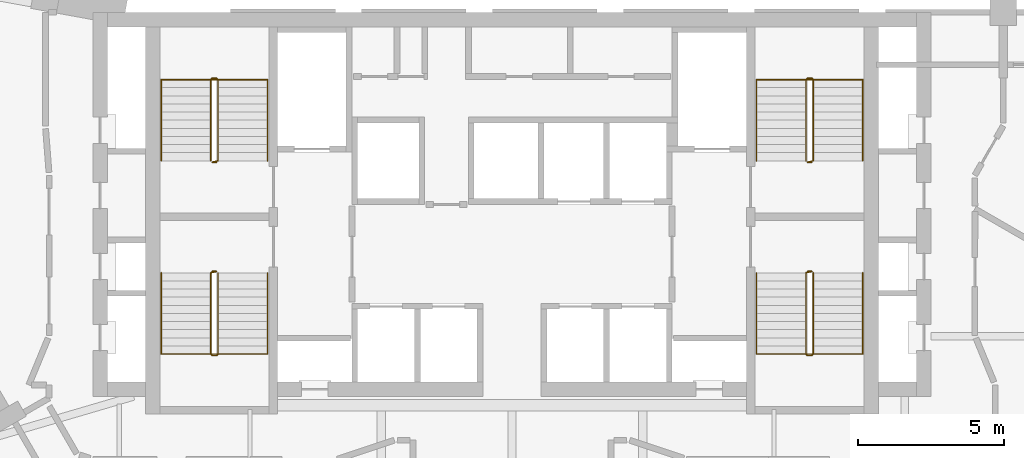
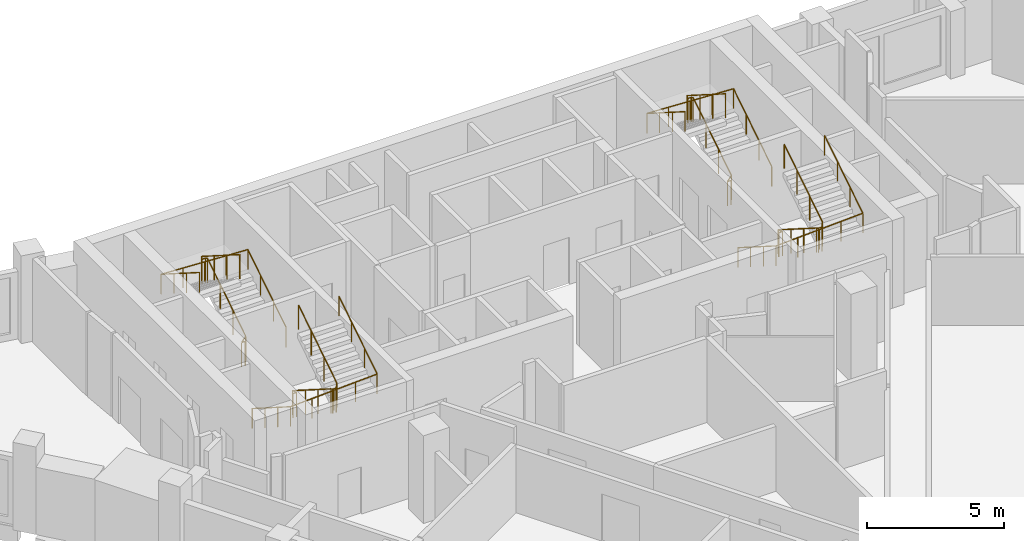
# One storey, part 9 of 9: 8 railings.
"""IFC4 building model written with IfcOpenShell, lengths in metres."""

from ifc_helpers import new_model, si_unit, direction, frame, origin, origin_2d, place, context, subcontext, project, spatial, circle, extrude, material, type_object, element, save


model = new_model("IFC4")

# Units and contexts
model_context = context("Model", 3, precision=1e-05, world=origin(), true_north=direction((0.0, 1.0)))
body_context = subcontext(model_context, "Body", "Model", "MODEL_VIEW")
ifc_project = project(units=[si_unit("LENGTHUNIT", "METRE"), si_unit("AREAUNIT", "SQUARE_METRE"), si_unit("VOLUMEUNIT", "CUBIC_METRE"), si_unit("PLANEANGLEUNIT", "RADIAN"), si_unit("MASSUNIT", "GRAM", prefix="KILO")], contexts=[model_context])

# Site, building, storey
site_placement = place(None, origin())
site = spatial("IfcSite", under=ifc_project, at=site_placement, CompositionType="ELEMENT")
building_placement = place(site_placement, origin())
building = spatial("IfcBuilding", under=site, at=building_placement, Name="Calabash Gate Tower", CompositionType="ELEMENT")
storey_placement = place(building_placement, frame((0.0, 0.0, 200.300048828125)))
storey = spatial("IfcBuildingStorey", under=building, at=storey_placement, Name="L47", CompositionType="ELEMENT", Elevation=200.300048828125)

# Railings
ifc_material_1 = material(Name="Black powder-coated steel balusters", Category="steel")
railing_type_1 = type_object("IfcRailingType", Name="Stair guard RL1100", PredefinedType="GUARDRAIL", material=ifc_material_1)
railing_1_placement = place(storey_placement, frame((-10.14990234375, 13.902587890625, 0.0)))
element("IfcRailing", 1, at=railing_1_placement, inside=storey, type_object=railing_type_1, Name="L47 ST1 stair guard 1", PredefinedType="GUARDRAIL", context=body_context, shape_type="SweptSolid", body=[
    extrude(circle(Radius=0.02392578125, at=origin_2d()), frame((0.0, 0.0, 1.076171875), z_axis=(-1.0, 0.0, 0.0), x_axis=(0.0, -1.0, 0.0)), (0.0, 0.0, 1.0), 0.150146484375),
    extrude(circle(Radius=0.02392578125, at=origin_2d()), frame((-0.150146484375, 0.0, 1.076171875), z_axis=(0.735524641326, 0.184105679453, 0.652003528208), x_axis=(-0.242814311512, 0.970072785993, 0.0)), (0.0, 0.0, 1.0), 0.271728515625),
    extrude(circle(Radius=0.02392578125, at=origin_2d()), frame((0.0498046875, 0.050048828125, 1.25341796875), z_axis=(0.0, 0.844041424197, 0.536277982245), x_axis=(-1.0, 0.0, 0.0)), (0.0, 0.0, 1.0), 3.3056640625),
    extrude(circle(Radius=0.02392578125, at=origin_2d()), frame((0.0498046875, 2.840087890625, 3.02587890625), z_axis=(-0.707106781187, 0.707106781187, 0.0), x_axis=(-0.707106781187, -0.707106781187, 0.0)), (0.0, 0.0, 1.0), 0.0703125),
    extrude(circle(Radius=0.02392578125, at=origin_2d()), frame((0.0, 2.889892578125, 3.02587890625), z_axis=(-1.0, 0.0, 0.0), x_axis=(0.0, -1.0, 0.0)), (0.0, 0.0, 1.0), 0.150146484375),
    extrude(circle(Radius=0.02392578125, at=origin_2d()), frame((-0.150146484375, 2.889892578125, 3.02587890625), z_axis=(-0.262321481514, -0.261041864531, 0.929001929653), x_axis=(0.705375805398, -0.708833529934, 0.0)), (0.0, 0.0, 1.0), 0.190673828125),
    extrude(circle(Radius=0.02392578125, at=origin_2d()), frame((-0.2001953125, 2.840087890625, 3.203125), z_axis=(0.0, -0.844041424197, 0.536277982245), x_axis=(1.0, 0.0, 0.0)), (0.0, 0.0, 1.0), 3.3056640625),
    extrude(circle(Radius=0.02099609375, at=origin_2d()), origin(), (0.0, 0.0, 1.0), 1.052001953125),
    extrude(circle(Radius=0.02099609375, at=origin_2d()), frame((-0.150146484375, 0.0, 0.0)), (0.0, 0.0, 1.0), 1.052001953125),
    extrude(circle(Radius=0.02099609375, at=origin_2d()), frame((0.0498046875, 0.050048828125, 0.17724609375)), (0.0, 0.0, 1.0), 1.052001953125),
    extrude(circle(Radius=0.02099609375, at=origin_2d()), frame((0.0498046875, 0.97998046875, 0.76806640625)), (0.0, 0.0, 1.0), 1.052001953125),
    extrude(circle(Radius=0.02099609375, at=origin_2d()), frame((0.0498046875, 1.91015625, 1.359130859375)), (0.0, 0.0, 1.0), 1.052001953125),
    extrude(circle(Radius=0.02099609375, at=origin_2d()), frame((0.0498046875, 2.840087890625, 1.949951171875)), (0.0, 0.0, 1.0), 1.052001953125),
    extrude(circle(Radius=0.02099609375, at=origin_2d()), frame((0.0, 2.889892578125, 1.949951171875)), (0.0, 0.0, 1.0), 1.052001953125),
    extrude(circle(Radius=0.02099609375, at=origin_2d()), frame((-0.150146484375, 2.889892578125, 1.949951171875)), (0.0, 0.0, 1.0), 1.052001953125),
    extrude(circle(Radius=0.02099609375, at=origin_2d()), frame((-0.2001953125, 2.840087890625, 2.127197265625)), (0.0, 0.0, 1.0), 1.052001953125),
    extrude(circle(Radius=0.02099609375, at=origin_2d()), frame((-0.2001953125, 1.91015625, 2.718017578125)), (0.0, 0.0, 1.0), 1.052001953125),
    extrude(circle(Radius=0.02099609375, at=origin_2d()), frame((-0.2001953125, 0.97998046875, 3.30908203125)), (0.0, 0.0, 1.0), 1.052001953125),
    extrude(circle(Radius=0.02099609375, at=origin_2d()), frame((-0.2001953125, 0.050048828125, 3.89990234375)), (0.0, 0.0, 1.0), 1.052001953125),
])
railing_2_placement = place(storey_placement, frame((-10.300048828125, 10.152587890625, 0.0)))
element("IfcRailing", 2, at=railing_2_placement, inside=storey, type_object=railing_type_1, Name="L47 ST2 stair guard 1", PredefinedType="GUARDRAIL", context=body_context, shape_type="SweptSolid", body=[
    extrude(circle(Radius=0.02392578125, at=origin_2d()), frame((0.0, 0.0, 1.076171875), z_axis=(1.0, 0.0, 0.0), x_axis=(0.0, 1.0, 0.0)), (0.0, 0.0, 1.0), 0.150146484375),
    extrude(circle(Radius=0.02392578125, at=origin_2d()), frame((0.150146484375, 0.0, 1.076171875), z_axis=(-0.735936453418, -0.183984113355, 0.651573006319), x_axis=(0.242535625036, -0.970142500145, 0.0)), (0.0, 0.0, 1.0), 0.27197265625),
    extrude(circle(Radius=0.02392578125, at=origin_2d()), frame((-0.050048828125, -0.050048828125, 1.25341796875), z_axis=(0.0, -0.844041424197, 0.536277982245), x_axis=(1.0, 0.0, 0.0)), (0.0, 0.0, 1.0), 3.3056640625),
    extrude(circle(Radius=0.02392578125, at=origin_2d()), frame((-0.050048828125, -2.840087890625, 3.02587890625), z_axis=(0.708833529934, -0.705375805398, 0.0), x_axis=(0.705375805398, 0.708833529934, 0.0)), (0.0, 0.0, 1.0), 0.070556640625),
    extrude(circle(Radius=0.02392578125, at=origin_2d()), frame((0.0, -2.889892578125, 3.02587890625), z_axis=(1.0, 0.0, 0.0), x_axis=(0.0, 1.0, 0.0)), (0.0, 0.0, 1.0), 0.150146484375),
    extrude(circle(Radius=0.02392578125, at=origin_2d()), frame((0.150146484375, -2.889892578125, 3.02587890625), z_axis=(0.261129318932, 0.261129318932, 0.929313164433), x_axis=(-0.707106781187, 0.707106781187, 0.0)), (0.0, 0.0, 1.0), 0.190673828125),
    extrude(circle(Radius=0.02392578125, at=origin_2d()), frame((0.199951171875, -2.840087890625, 3.203125), z_axis=(0.0, 0.844041424197, 0.536277982245), x_axis=(-1.0, 0.0, 0.0)), (0.0, 0.0, 1.0), 3.3056640625),
    extrude(circle(Radius=0.02099609375, at=origin_2d()), origin(), (0.0, 0.0, 1.0), 1.052001953125),
    extrude(circle(Radius=0.02099609375, at=origin_2d()), frame((0.150146484375, 0.0, 0.0)), (0.0, 0.0, 1.0), 1.052001953125),
    extrude(circle(Radius=0.02099609375, at=origin_2d()), frame((-0.050048828125, -0.050048828125, 0.17724609375)), (0.0, 0.0, 1.0), 1.052001953125),
    extrude(circle(Radius=0.02099609375, at=origin_2d()), frame((-0.050048828125, -0.97998046875, 0.76806640625)), (0.0, 0.0, 1.0), 1.052001953125),
    extrude(circle(Radius=0.02099609375, at=origin_2d()), frame((-0.050048828125, -1.91015625, 1.359130859375)), (0.0, 0.0, 1.0), 1.052001953125),
    extrude(circle(Radius=0.02099609375, at=origin_2d()), frame((-0.050048828125, -2.840087890625, 1.949951171875)), (0.0, 0.0, 1.0), 1.052001953125),
    extrude(circle(Radius=0.02099609375, at=origin_2d()), frame((0.0, -2.889892578125, 1.949951171875)), (0.0, 0.0, 1.0), 1.052001953125),
    extrude(circle(Radius=0.02099609375, at=origin_2d()), frame((0.150146484375, -2.889892578125, 1.949951171875)), (0.0, 0.0, 1.0), 1.052001953125),
    extrude(circle(Radius=0.02099609375, at=origin_2d()), frame((0.199951171875, -2.840087890625, 2.127197265625)), (0.0, 0.0, 1.0), 1.052001953125),
    extrude(circle(Radius=0.02099609375, at=origin_2d()), frame((0.199951171875, -1.91015625, 2.718017578125)), (0.0, 0.0, 1.0), 1.052001953125),
    extrude(circle(Radius=0.02099609375, at=origin_2d()), frame((0.199951171875, -0.97998046875, 3.30908203125)), (0.0, 0.0, 1.0), 1.052001953125),
    extrude(circle(Radius=0.02099609375, at=origin_2d()), frame((0.199951171875, -0.050048828125, 3.89990234375)), (0.0, 0.0, 1.0), 1.052001953125),
])
railing_3_placement = place(storey_placement, frame((10.300048828125, 13.902587890625, 0.0)))
element("IfcRailing", 3, at=railing_3_placement, inside=storey, type_object=railing_type_1, Name="L47 ST3 stair guard 1", PredefinedType="GUARDRAIL", context=body_context, shape_type="SweptSolid", body=[
    extrude(circle(Radius=0.02392578125, at=origin_2d()), frame((0.0, 0.0, 1.076171875), z_axis=(-1.0, 0.0, 0.0), x_axis=(0.0, -1.0, 0.0)), (0.0, 0.0, 1.0), 0.150146484375),
    extrude(circle(Radius=0.02392578125, at=origin_2d()), frame((-0.150146484375, 0.0, 1.076171875), z_axis=(0.735936453418, 0.183984113355, 0.651573006319), x_axis=(-0.242535625036, 0.970142500145, 0.0)), (0.0, 0.0, 1.0), 0.27197265625),
    extrude(circle(Radius=0.02392578125, at=origin_2d()), frame((0.050048828125, 0.050048828125, 1.25341796875), z_axis=(0.0, 0.844041424197, 0.536277982245), x_axis=(-1.0, 0.0, 0.0)), (0.0, 0.0, 1.0), 3.3056640625),
    extrude(circle(Radius=0.02392578125, at=origin_2d()), frame((0.050048828125, 2.840087890625, 3.02587890625), z_axis=(-0.708833529934, 0.705375805398, 0.0), x_axis=(-0.705375805398, -0.708833529934, 0.0)), (0.0, 0.0, 1.0), 0.070556640625),
    extrude(circle(Radius=0.02392578125, at=origin_2d()), frame((0.0, 2.889892578125, 3.02587890625), z_axis=(-1.0, 0.0, 0.0), x_axis=(0.0, -1.0, 0.0)), (0.0, 0.0, 1.0), 0.150146484375),
    extrude(circle(Radius=0.02392578125, at=origin_2d()), frame((-0.150146484375, 2.889892578125, 3.02587890625), z_axis=(-0.261129318932, -0.261129318932, 0.929313164433), x_axis=(0.707106781187, -0.707106781187, 0.0)), (0.0, 0.0, 1.0), 0.190673828125),
    extrude(circle(Radius=0.02392578125, at=origin_2d()), frame((-0.199951171875, 2.840087890625, 3.203125), z_axis=(0.0, -0.844041424197, 0.536277982245), x_axis=(1.0, 0.0, 0.0)), (0.0, 0.0, 1.0), 3.3056640625),
    extrude(circle(Radius=0.02099609375, at=origin_2d()), origin(), (0.0, 0.0, 1.0), 1.052001953125),
    extrude(circle(Radius=0.02099609375, at=origin_2d()), frame((-0.150146484375, 0.0, 0.0)), (0.0, 0.0, 1.0), 1.052001953125),
    extrude(circle(Radius=0.02099609375, at=origin_2d()), frame((0.050048828125, 0.050048828125, 0.17724609375)), (0.0, 0.0, 1.0), 1.052001953125),
    extrude(circle(Radius=0.02099609375, at=origin_2d()), frame((0.050048828125, 0.97998046875, 0.76806640625)), (0.0, 0.0, 1.0), 1.052001953125),
    extrude(circle(Radius=0.02099609375, at=origin_2d()), frame((0.050048828125, 1.91015625, 1.359130859375)), (0.0, 0.0, 1.0), 1.052001953125),
    extrude(circle(Radius=0.02099609375, at=origin_2d()), frame((0.050048828125, 2.840087890625, 1.949951171875)), (0.0, 0.0, 1.0), 1.052001953125),
    extrude(circle(Radius=0.02099609375, at=origin_2d()), frame((0.0, 2.889892578125, 1.949951171875)), (0.0, 0.0, 1.0), 1.052001953125),
    extrude(circle(Radius=0.02099609375, at=origin_2d()), frame((-0.150146484375, 2.889892578125, 1.949951171875)), (0.0, 0.0, 1.0), 1.052001953125),
    extrude(circle(Radius=0.02099609375, at=origin_2d()), frame((-0.199951171875, 2.840087890625, 2.127197265625)), (0.0, 0.0, 1.0), 1.052001953125),
    extrude(circle(Radius=0.02099609375, at=origin_2d()), frame((-0.199951171875, 1.91015625, 2.718017578125)), (0.0, 0.0, 1.0), 1.052001953125),
    extrude(circle(Radius=0.02099609375, at=origin_2d()), frame((-0.199951171875, 0.97998046875, 3.30908203125)), (0.0, 0.0, 1.0), 1.052001953125),
    extrude(circle(Radius=0.02099609375, at=origin_2d()), frame((-0.199951171875, 0.050048828125, 3.89990234375)), (0.0, 0.0, 1.0), 1.052001953125),
])
railing_4_placement = place(storey_placement, frame((10.14990234375, 10.152587890625, 0.0)))
element("IfcRailing", 4, at=railing_4_placement, inside=storey, type_object=railing_type_1, Name="L47 ST4 stair guard 1", PredefinedType="GUARDRAIL", context=body_context, shape_type="SweptSolid", body=[
    extrude(circle(Radius=0.02392578125, at=origin_2d()), frame((0.0, 0.0, 1.076171875), z_axis=(1.0, 0.0, 0.0), x_axis=(0.0, 1.0, 0.0)), (0.0, 0.0, 1.0), 0.150146484375),
    extrude(circle(Radius=0.02392578125, at=origin_2d()), frame((0.150146484375, 0.0, 1.076171875), z_axis=(-0.735524641326, -0.184105679453, 0.652003528208), x_axis=(0.242814311512, -0.970072785993, 0.0)), (0.0, 0.0, 1.0), 0.271728515625),
    extrude(circle(Radius=0.02392578125, at=origin_2d()), frame((-0.0498046875, -0.050048828125, 1.25341796875), z_axis=(0.0, -0.844041424197, 0.536277982245), x_axis=(1.0, 0.0, 0.0)), (0.0, 0.0, 1.0), 3.3056640625),
    extrude(circle(Radius=0.02392578125, at=origin_2d()), frame((-0.0498046875, -2.840087890625, 3.02587890625), z_axis=(0.707106781187, -0.707106781187, 0.0), x_axis=(0.707106781187, 0.707106781187, 0.0)), (0.0, 0.0, 1.0), 0.0703125),
    extrude(circle(Radius=0.02392578125, at=origin_2d()), frame((0.0, -2.889892578125, 3.02587890625), z_axis=(1.0, 0.0, 0.0), x_axis=(0.0, 1.0, 0.0)), (0.0, 0.0, 1.0), 0.150146484375),
    extrude(circle(Radius=0.02392578125, at=origin_2d()), frame((0.150146484375, -2.889892578125, 3.02587890625), z_axis=(0.262321481514, 0.261041864531, 0.929001929653), x_axis=(-0.705375805398, 0.708833529934, 0.0)), (0.0, 0.0, 1.0), 0.190673828125),
    extrude(circle(Radius=0.02392578125, at=origin_2d()), frame((0.2001953125, -2.840087890625, 3.203125), z_axis=(0.0, 0.844041424197, 0.536277982245), x_axis=(-1.0, 0.0, 0.0)), (0.0, 0.0, 1.0), 3.3056640625),
    extrude(circle(Radius=0.02099609375, at=origin_2d()), origin(), (0.0, 0.0, 1.0), 1.052001953125),
    extrude(circle(Radius=0.02099609375, at=origin_2d()), frame((0.150146484375, 0.0, 0.0)), (0.0, 0.0, 1.0), 1.052001953125),
    extrude(circle(Radius=0.02099609375, at=origin_2d()), frame((-0.0498046875, -0.050048828125, 0.17724609375)), (0.0, 0.0, 1.0), 1.052001953125),
    extrude(circle(Radius=0.02099609375, at=origin_2d()), frame((-0.0498046875, -0.97998046875, 0.76806640625)), (0.0, 0.0, 1.0), 1.052001953125),
    extrude(circle(Radius=0.02099609375, at=origin_2d()), frame((-0.0498046875, -1.91015625, 1.359130859375)), (0.0, 0.0, 1.0), 1.052001953125),
    extrude(circle(Radius=0.02099609375, at=origin_2d()), frame((-0.0498046875, -2.840087890625, 1.949951171875)), (0.0, 0.0, 1.0), 1.052001953125),
    extrude(circle(Radius=0.02099609375, at=origin_2d()), frame((0.0, -2.889892578125, 1.949951171875)), (0.0, 0.0, 1.0), 1.052001953125),
    extrude(circle(Radius=0.02099609375, at=origin_2d()), frame((0.150146484375, -2.889892578125, 1.949951171875)), (0.0, 0.0, 1.0), 1.052001953125),
    extrude(circle(Radius=0.02099609375, at=origin_2d()), frame((0.2001953125, -2.840087890625, 2.127197265625)), (0.0, 0.0, 1.0), 1.052001953125),
    extrude(circle(Radius=0.02099609375, at=origin_2d()), frame((0.2001953125, -1.91015625, 2.718017578125)), (0.0, 0.0, 1.0), 1.052001953125),
    extrude(circle(Radius=0.02099609375, at=origin_2d()), frame((0.2001953125, -0.97998046875, 3.30908203125)), (0.0, 0.0, 1.0), 1.052001953125),
    extrude(circle(Radius=0.02099609375, at=origin_2d()), frame((0.2001953125, -0.050048828125, 3.89990234375)), (0.0, 0.0, 1.0), 1.052001953125),
])
ifc_material_2 = material(Name="Black powder-coated steel tube 48 mm", Category="steel")
railing_type_2 = type_object("IfcRailingType", Name="Stair handrail RL900", PredefinedType="HANDRAIL", material=ifc_material_2)
railing_5_placement = place(storey_placement, frame((-8.39990234375, 13.95263671875, 0.17724609375)))
element("IfcRailing", 5, at=railing_5_placement, inside=storey, type_object=railing_type_2, Name="L47 ST1 stair handrail 1", PredefinedType="HANDRAIL", context=body_context, shape_type="SweptSolid", body=[
    extrude(circle(Radius=0.02392578125, at=origin_2d()), frame((0.0, 0.0, 0.8759765625), z_axis=(0.0, 0.844041424197, 0.536277982245), x_axis=(-1.0, 0.0, 0.0)), (0.0, 0.0, 1.0), 3.3056640625),
    extrude(circle(Radius=0.02392578125, at=origin_2d()), frame((0.0, 2.7900390625, 2.6484375), z_axis=(-0.998823110844, 0.0, 0.048501476722), x_axis=(0.0, -1.0, 0.0)), (0.0, 0.0, 1.0), 3.654541015625),
    extrude(circle(Radius=0.02392578125, at=origin_2d()), frame((-3.650146484375, 2.7900390625, 2.82568359375), z_axis=(0.0, -0.844041424197, 0.536277982245), x_axis=(1.0, 0.0, 0.0)), (0.0, 0.0, 1.0), 3.3056640625),
    extrude(circle(Radius=0.02099609375, at=origin_2d()), origin(), (0.0, 0.0, 1.0), 0.851806640625),
    extrude(circle(Radius=0.02099609375, at=origin_2d()), frame((0.0, 0.929931640625, 0.5908203125)), (0.0, 0.0, 1.0), 0.851806640625),
    extrude(circle(Radius=0.02099609375, at=origin_2d()), frame((0.0, 1.860107421875, 1.181884765625)), (0.0, 0.0, 1.0), 0.851806640625),
    extrude(circle(Radius=0.02099609375, at=origin_2d()), frame((0.0, 2.7900390625, 1.772705078125)), (0.0, 0.0, 1.0), 0.851806640625),
    extrude(circle(Radius=0.02099609375, at=origin_2d()), frame((-0.91259765625, 2.7900390625, 1.81689453125)), (0.0, 0.0, 1.0), 0.851806640625),
    extrude(circle(Radius=0.02099609375, at=origin_2d()), frame((-1.8251953125, 2.7900390625, 1.861328125)), (0.0, 0.0, 1.0), 0.851806640625),
    extrude(circle(Radius=0.02099609375, at=origin_2d()), frame((-2.737548828125, 2.7900390625, 1.90576171875)), (0.0, 0.0, 1.0), 0.851806640625),
    extrude(circle(Radius=0.02099609375, at=origin_2d()), frame((-3.650146484375, 2.7900390625, 1.949951171875)), (0.0, 0.0, 1.0), 0.851806640625),
    extrude(circle(Radius=0.02099609375, at=origin_2d()), frame((-3.650146484375, 1.860107421875, 2.540771484375)), (0.0, 0.0, 1.0), 0.851806640625),
    extrude(circle(Radius=0.02099609375, at=origin_2d()), frame((-3.650146484375, 0.929931640625, 3.1318359375)), (0.0, 0.0, 1.0), 0.851806640625),
    extrude(circle(Radius=0.02099609375, at=origin_2d()), frame((-3.650146484375, 0.0, 3.72265625)), (0.0, 0.0, 1.0), 0.851806640625),
])
railing_6_placement = place(storey_placement, frame((-12.050048828125, 10.1025390625, 0.17724609375)))
element("IfcRailing", 6, at=railing_6_placement, inside=storey, type_object=railing_type_2, Name="L47 ST2 stair handrail 1", PredefinedType="HANDRAIL", context=body_context, shape_type="SweptSolid", body=[
    extrude(circle(Radius=0.02392578125, at=origin_2d()), frame((0.0, 0.0, 0.8759765625), z_axis=(0.0, -0.844041424197, 0.536277982245), x_axis=(1.0, 0.0, 0.0)), (0.0, 0.0, 1.0), 3.3056640625),
    extrude(circle(Radius=0.02392578125, at=origin_2d()), frame((0.0, -2.7900390625, 2.6484375), z_axis=(0.998823110844, 0.0, 0.048501476722), x_axis=(0.0, 1.0, 0.0)), (0.0, 0.0, 1.0), 3.654541015625),
    extrude(circle(Radius=0.02392578125, at=origin_2d()), frame((3.650146484375, -2.7900390625, 2.82568359375), z_axis=(0.0, 0.844041424197, 0.536277982245), x_axis=(-1.0, 0.0, 0.0)), (0.0, 0.0, 1.0), 3.3056640625),
    extrude(circle(Radius=0.02099609375, at=origin_2d()), origin(), (0.0, 0.0, 1.0), 0.851806640625),
    extrude(circle(Radius=0.02099609375, at=origin_2d()), frame((0.0, -0.929931640625, 0.5908203125)), (0.0, 0.0, 1.0), 0.851806640625),
    extrude(circle(Radius=0.02099609375, at=origin_2d()), frame((0.0, -1.860107421875, 1.181884765625)), (0.0, 0.0, 1.0), 0.851806640625),
    extrude(circle(Radius=0.02099609375, at=origin_2d()), frame((0.0, -2.7900390625, 1.772705078125)), (0.0, 0.0, 1.0), 0.851806640625),
    extrude(circle(Radius=0.02099609375, at=origin_2d()), frame((0.91259765625, -2.7900390625, 1.81689453125)), (0.0, 0.0, 1.0), 0.851806640625),
    extrude(circle(Radius=0.02099609375, at=origin_2d()), frame((1.8251953125, -2.7900390625, 1.861328125)), (0.0, 0.0, 1.0), 0.851806640625),
    extrude(circle(Radius=0.02099609375, at=origin_2d()), frame((2.737548828125, -2.7900390625, 1.90576171875)), (0.0, 0.0, 1.0), 0.851806640625),
    extrude(circle(Radius=0.02099609375, at=origin_2d()), frame((3.650146484375, -2.7900390625, 1.949951171875)), (0.0, 0.0, 1.0), 0.851806640625),
    extrude(circle(Radius=0.02099609375, at=origin_2d()), frame((3.650146484375, -1.860107421875, 2.540771484375)), (0.0, 0.0, 1.0), 0.851806640625),
    extrude(circle(Radius=0.02099609375, at=origin_2d()), frame((3.650146484375, -0.929931640625, 3.1318359375)), (0.0, 0.0, 1.0), 0.851806640625),
    extrude(circle(Radius=0.02099609375, at=origin_2d()), frame((3.650146484375, 0.0, 3.72265625)), (0.0, 0.0, 1.0), 0.851806640625),
])
railing_7_placement = place(storey_placement, frame((12.050048828125, 13.95263671875, 0.17724609375)))
element("IfcRailing", 7, at=railing_7_placement, inside=storey, type_object=railing_type_2, Name="L47 ST3 stair handrail 1", PredefinedType="HANDRAIL", context=body_context, shape_type="SweptSolid", body=[
    extrude(circle(Radius=0.02392578125, at=origin_2d()), frame((0.0, 0.0, 0.8759765625), z_axis=(0.0, 0.844041424197, 0.536277982245), x_axis=(-1.0, 0.0, 0.0)), (0.0, 0.0, 1.0), 3.3056640625),
    extrude(circle(Radius=0.02392578125, at=origin_2d()), frame((0.0, 2.7900390625, 2.6484375), z_axis=(-0.998823110844, 0.0, 0.048501476722), x_axis=(0.0, -1.0, 0.0)), (0.0, 0.0, 1.0), 3.654541015625),
    extrude(circle(Radius=0.02392578125, at=origin_2d()), frame((-3.650146484375, 2.7900390625, 2.82568359375), z_axis=(0.0, -0.844041424197, 0.536277982245), x_axis=(1.0, 0.0, 0.0)), (0.0, 0.0, 1.0), 3.3056640625),
    extrude(circle(Radius=0.02099609375, at=origin_2d()), origin(), (0.0, 0.0, 1.0), 0.851806640625),
    extrude(circle(Radius=0.02099609375, at=origin_2d()), frame((0.0, 0.929931640625, 0.5908203125)), (0.0, 0.0, 1.0), 0.851806640625),
    extrude(circle(Radius=0.02099609375, at=origin_2d()), frame((0.0, 1.860107421875, 1.181884765625)), (0.0, 0.0, 1.0), 0.851806640625),
    extrude(circle(Radius=0.02099609375, at=origin_2d()), frame((0.0, 2.7900390625, 1.772705078125)), (0.0, 0.0, 1.0), 0.851806640625),
    extrude(circle(Radius=0.02099609375, at=origin_2d()), frame((-0.91259765625, 2.7900390625, 1.81689453125)), (0.0, 0.0, 1.0), 0.851806640625),
    extrude(circle(Radius=0.02099609375, at=origin_2d()), frame((-1.8251953125, 2.7900390625, 1.861328125)), (0.0, 0.0, 1.0), 0.851806640625),
    extrude(circle(Radius=0.02099609375, at=origin_2d()), frame((-2.737548828125, 2.7900390625, 1.90576171875)), (0.0, 0.0, 1.0), 0.851806640625),
    extrude(circle(Radius=0.02099609375, at=origin_2d()), frame((-3.650146484375, 2.7900390625, 1.949951171875)), (0.0, 0.0, 1.0), 0.851806640625),
    extrude(circle(Radius=0.02099609375, at=origin_2d()), frame((-3.650146484375, 1.860107421875, 2.540771484375)), (0.0, 0.0, 1.0), 0.851806640625),
    extrude(circle(Radius=0.02099609375, at=origin_2d()), frame((-3.650146484375, 0.929931640625, 3.1318359375)), (0.0, 0.0, 1.0), 0.851806640625),
    extrude(circle(Radius=0.02099609375, at=origin_2d()), frame((-3.650146484375, 0.0, 3.72265625)), (0.0, 0.0, 1.0), 0.851806640625),
])
railing_8_placement = place(storey_placement, frame((8.39990234375, 10.1025390625, 0.17724609375)))
element("IfcRailing", 8, at=railing_8_placement, inside=storey, type_object=railing_type_2, Name="L47 ST4 stair handrail 1", PredefinedType="HANDRAIL", context=body_context, shape_type="SweptSolid", body=[
    extrude(circle(Radius=0.02392578125, at=origin_2d()), frame((0.0, 0.0, 0.8759765625), z_axis=(0.0, -0.844041424197, 0.536277982245), x_axis=(1.0, 0.0, 0.0)), (0.0, 0.0, 1.0), 3.3056640625),
    extrude(circle(Radius=0.02392578125, at=origin_2d()), frame((0.0, -2.7900390625, 2.6484375), z_axis=(0.998823110844, 0.0, 0.048501476722), x_axis=(0.0, 1.0, 0.0)), (0.0, 0.0, 1.0), 3.654541015625),
    extrude(circle(Radius=0.02392578125, at=origin_2d()), frame((3.650146484375, -2.7900390625, 2.82568359375), z_axis=(0.0, 0.844041424197, 0.536277982245), x_axis=(-1.0, 0.0, 0.0)), (0.0, 0.0, 1.0), 3.3056640625),
    extrude(circle(Radius=0.02099609375, at=origin_2d()), origin(), (0.0, 0.0, 1.0), 0.851806640625),
    extrude(circle(Radius=0.02099609375, at=origin_2d()), frame((0.0, -0.929931640625, 0.5908203125)), (0.0, 0.0, 1.0), 0.851806640625),
    extrude(circle(Radius=0.02099609375, at=origin_2d()), frame((0.0, -1.860107421875, 1.181884765625)), (0.0, 0.0, 1.0), 0.851806640625),
    extrude(circle(Radius=0.02099609375, at=origin_2d()), frame((0.0, -2.7900390625, 1.772705078125)), (0.0, 0.0, 1.0), 0.851806640625),
    extrude(circle(Radius=0.02099609375, at=origin_2d()), frame((0.91259765625, -2.7900390625, 1.81689453125)), (0.0, 0.0, 1.0), 0.851806640625),
    extrude(circle(Radius=0.02099609375, at=origin_2d()), frame((1.8251953125, -2.7900390625, 1.861328125)), (0.0, 0.0, 1.0), 0.851806640625),
    extrude(circle(Radius=0.02099609375, at=origin_2d()), frame((2.737548828125, -2.7900390625, 1.90576171875)), (0.0, 0.0, 1.0), 0.851806640625),
    extrude(circle(Radius=0.02099609375, at=origin_2d()), frame((3.650146484375, -2.7900390625, 1.949951171875)), (0.0, 0.0, 1.0), 0.851806640625),
    extrude(circle(Radius=0.02099609375, at=origin_2d()), frame((3.650146484375, -1.860107421875, 2.540771484375)), (0.0, 0.0, 1.0), 0.851806640625),
    extrude(circle(Radius=0.02099609375, at=origin_2d()), frame((3.650146484375, -0.929931640625, 3.1318359375)), (0.0, 0.0, 1.0), 0.851806640625),
    extrude(circle(Radius=0.02099609375, at=origin_2d()), frame((3.650146484375, 0.0, 3.72265625)), (0.0, 0.0, 1.0), 0.851806640625),
])

save(model, "model.ifc")
